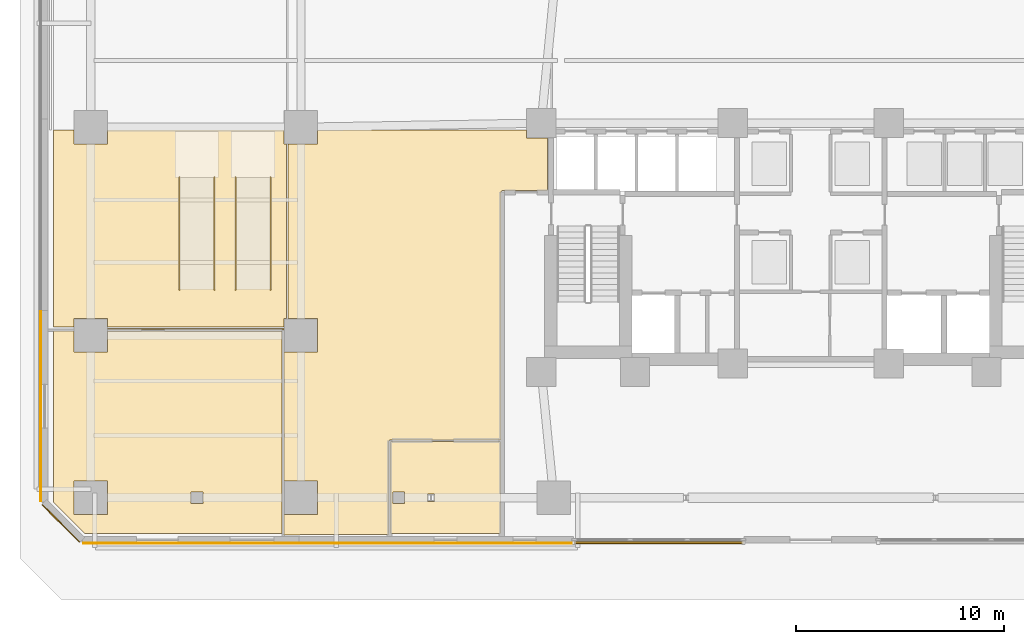
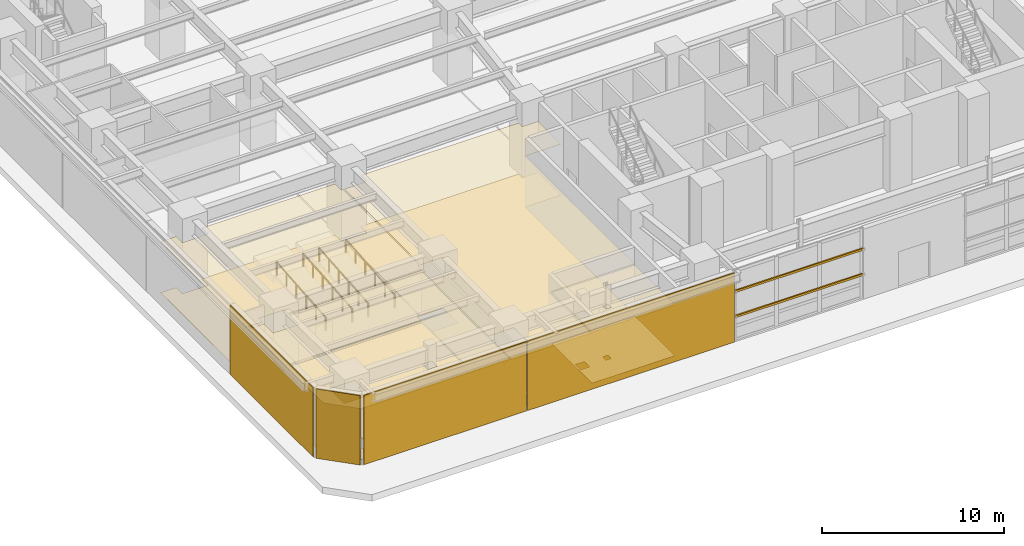
# One storey, part 19 of 26: 12 coverings, 4 railings, 2 shading devices.
"""IFC4 building model written with IfcOpenShell, lengths in metres."""

from ifc_helpers import new_model, si_unit, direction, frame, origin, origin_2d, place, context, subcontext, project, spatial, polyline, rectangle, circle, outline, extrude, material, layer, layer_set, material_profile, profile_set, type_object, element, save


model = new_model("IFC4")

# Units and contexts
model_context = context("Model", 3, precision=1e-05, world=origin(), true_north=direction((0.0, 1.0)))
body_context = subcontext(model_context, "Body", "Model", "MODEL_VIEW")
ifc_project = project(units=[si_unit("LENGTHUNIT", "METRE"), si_unit("AREAUNIT", "SQUARE_METRE"), si_unit("VOLUMEUNIT", "CUBIC_METRE"), si_unit("PLANEANGLEUNIT", "RADIAN"), si_unit("MASSUNIT", "GRAM", prefix="KILO")], contexts=[model_context])

# Site, building, storey
site_placement = place(None, origin())
site = spatial("IfcSite", under=ifc_project, at=site_placement, CompositionType="ELEMENT")
building_placement = place(site_placement, origin())
building = spatial("IfcBuilding", under=site, at=building_placement, Name="Quenlor Broadcast Tower", CompositionType="ELEMENT")
storey_placement = place(building_placement, origin())
storey = spatial("IfcBuildingStorey", under=building, at=storey_placement, Name="L00", CompositionType="ELEMENT", Elevation=0.0)

# Coverings
ifc_material_1 = material(Name="Acoustic Mineral Fibre Board", Category="other")
ifc_layer_1 = layer(ifc_material_1, 0.02490234375)
ifc_layer_set_1 = layer_set([ifc_layer_1], Name="Acoustic Perforated Mineral Tile Ceiling 25")
covering_type_1 = type_object("IfcCoveringType", Name="Acoustic Perforated Mineral Tile Ceiling 25", PredefinedType="CEILING", material=ifc_layer_set_1)
covering_1_placement = place(storey_placement, frame((0.0, 0.0, 3.425048828125)))
element("IfcCovering", 1, at=covering_1_placement, inside=storey, type_object=covering_type_1, Name="L00 Acoustic Ceiling L00-33", PredefinedType="CEILING", context=body_context, shape_type="SweptSolid", body=[
    extrude(outline(polyline([(-14.919921875, -24.52001953125), (-20.199951171875, -24.52001953125), (-20.199951171875, -20.10009765625), (-14.919921875, -20.10009765625), (-14.919921875, -24.52001953125)]), holes=[polyline([(-18.08642578125, -22.62841796875), (-18.41357421875, -22.62841796875), (-18.41357421875, -22.9716796875), (-18.08642578125, -22.9716796875), (-18.08642578125, -22.62841796875)]), polyline([(-19.51708984375, -23.0830078125), (-19.51708984375, -22.51708984375), (-20.0830078125, -22.51708984375), (-20.0830078125, -23.0830078125), (-19.51708984375, -23.0830078125)])]), origin(), (0.0, 0.0, 1.0), 0.02490234375),
])
covering_2_placement = place(storey_placement, frame((0.0, 0.0, 3.425048828125)))
element("IfcCovering", 2, at=covering_2_placement, inside=storey, type_object=covering_type_1, Name="L00 Acoustic Ceiling L00-38", PredefinedType="CEILING", context=body_context, shape_type="SweptSolid", body=[
    extrude(outline(polyline([(-33.7919921875, -15.80810546875), (-33.7919921875, -14.800048828125), (-25.39990234375, -14.800048828125), (-25.39990234375, -24.52001953125), (-34.885986328125, -24.52001953125), (-36.39990234375, -23.006103515625), (-36.39990234375, -14.800048828125), (-35.407958984375, -14.800048828125), (-35.407958984375, -15.80810546875), (-33.7919921875, -15.80810546875)]), holes=[polyline([(-33.7919921875, -23.60791015625), (-33.7919921875, -21.991943359375), (-35.407958984375, -21.991943359375), (-35.407958984375, -23.60791015625), (-33.7919921875, -23.60791015625)]), polyline([(-29.217041015625, -23.0830078125), (-29.217041015625, -22.51708984375), (-29.782958984375, -22.51708984375), (-29.782958984375, -23.0830078125), (-29.217041015625, -23.0830078125)])]), origin(), (0.0, 0.0, 1.0), 0.02490234375),
])
covering_3_placement = place(storey_placement, frame((0.0, 0.0, 3.425048828125)))
element("IfcCovering", 3, at=covering_3_placement, inside=storey, type_object=covering_type_1, Name="L00 Acoustic Ceiling L00-39-2", PredefinedType="CEILING", context=body_context, shape_type="SweptSolid", body=[
    extrude(outline(polyline([(-25.30810546875, -5.80810546875), (-25.199951171875, -5.80810546875), (-25.199951171875, -14.19189453125), (-25.30810546875, -14.19189453125), (-25.30810546875, -14.60009765625), (-33.7919921875, -14.60009765625), (-33.7919921875, -14.19189453125), (-35.407958984375, -14.19189453125), (-35.407958984375, -14.60009765625), (-36.39990234375, -14.60009765625), (-36.39990234375, -5.1201171875), (-35.407958984375, -5.1201171875), (-35.407958984375, -5.80810546875), (-33.7919921875, -5.80810546875), (-33.7919921875, -5.1201171875), (-25.30810546875, -5.1201171875), (-25.30810546875, -5.80810546875)])), origin(), (0.0, 0.0, 1.0), 0.02490234375),
])
covering_4_placement = place(storey_placement, frame((0.0, 0.0, 3.425048828125)))
element("IfcCovering", 4, at=covering_4_placement, inside=storey, type_object=covering_type_1, Name="L00 Acoustic Ceiling L00-42-3", PredefinedType="CEILING", context=body_context, shape_type="SweptSolid", body=[
    extrude(outline(polyline([(-13.657958984375, -5.508056640625), (-12.64990234375, -5.508056640625), (-12.64990234375, -8.0400390625), (-14.800048828125, -8.0400390625), (-14.815673828125, -8.04150390625), (-14.83056640625, -8.046142578125), (-14.844482421875, -8.053466796875), (-14.856689453125, -8.0634765625), (-14.866455078125, -8.07568359375), (-14.873779296875, -8.08935546875), (-14.87841796875, -8.1044921875), (-14.8798828125, -8.1201171875), (-14.8798828125, -20.03076171875), (-14.896728515625, -20.0234375), (-14.912109375, -20.0205078125), (-20.199951171875, -20.02001953125), (-20.215576171875, -20.021484375), (-20.230712890625, -20.026123046875), (-20.244384765625, -20.033447265625), (-20.256591796875, -20.04345703125), (-20.2666015625, -20.0556640625), (-20.27392578125, -20.0693359375), (-20.278564453125, -20.08447265625), (-20.280029296875, -20.10009765625), (-20.280029296875, -24.52001953125), (-20.278564453125, -24.53564453125), (-20.27392578125, -24.550537109375), (-20.2666015625, -24.564453125), (-20.256591796875, -24.57666015625), (-25.34716796875, -24.580078125), (-25.33349609375, -24.564453125), (-25.326171875, -24.550537109375), (-25.321533203125, -24.53564453125), (-25.320068359375, -24.52001953125), (-25.320068359375, -14.800048828125), (-25.321533203125, -14.784423828125), (-25.326171875, -14.769287109375), (-25.33349609375, -14.755615234375), (-25.343505859375, -14.743408203125), (-25.355712890625, -14.7333984375), (-25.369384765625, -14.72607421875), (-25.384521484375, -14.721435546875), (-25.39990234375, -14.719970703125), (-33.7919921875, -14.719970703125), (-33.7919921875, -14.679931640625), (-25.30810546875, -14.679931640625), (-25.30810546875, -15.80810546875), (-23.69189453125, -15.80810546875), (-23.69189453125, -14.19189453125), (-25.1201171875, -14.19189453125), (-25.1201171875, -5.80810546875), (-23.69189453125, -5.80810546875), (-23.69189453125, -5.1201171875), (-13.657958984375, -5.1201171875), (-13.657958984375, -5.508056640625)]), holes=[polyline([(-23.69189453125, -23.60791015625), (-23.69189453125, -21.991943359375), (-25.30810546875, -21.991943359375), (-25.30810546875, -23.60791015625), (-23.69189453125, -23.60791015625)])]), origin(), (0.0, 0.0, 1.0), 0.02490234375),
])

# Shading devices
ifc_material_2 = material(Name="Architectural Terracotta Ceramic", Category="masonry")
ifc_material_profile = material_profile(ifc_material_2, rectangle(XDim=0.090087890625, YDim=0.139892578125, at=origin_2d()))
ifc_profile_set = profile_set([ifc_material_profile], Name="Architectural Terracotta Ceramic BAG90x140")
shading_device_type = type_object("IfcShadingDeviceType", Name="Copper Terracotta Baguette Solar Screen 140", PredefinedType="USERDEFINED", material=ifc_profile_set)
for number, where, z_axis, x_axis, name in (
    (5, (-3.240966796875, -24.972900390625, 1.69189453125), (-1.0, 0.0, 0.0), (0.0, -1.0, 0.0), "L00 Terracotta Baguette Screen 1"),
    (6, (-3.240966796875, -24.972900390625, 3.384033203125), (-1.0, 0.0, 0.0), (0.0, -1.0, 0.0), "L00 Terracotta Baguette Screen 2"),
):
    element("IfcShadingDevice", number, at=place(storey_placement, frame(where, z_axis=z_axis, x_axis=x_axis)), inside=storey, type_object=shading_device_type, Name=name, ObjectType="BAGUETTE", PredefinedType="USERDEFINED", context=body_context, shape_type="SweptSolid", body=[
        extrude(rectangle(XDim=0.090087890625, YDim=0.139892578125, at=origin_2d()), origin(), (0.0, 0.0, 1.0), 8.117919921875),
    ])

# Coverings
ifc_material_3 = material(Name="Architectural Terracotta Ceramic", Category="masonry")
ifc_layer_2 = layer(ifc_material_3, 0.044921875)
ifc_layer_set_2 = layer_set([ifc_layer_2], Name="Fluted Terracotta Rainscreen Cladding Panel")
covering_type_2 = type_object("IfcCoveringType", Name="Fluted Terracotta Rainscreen Cladding Panel", PredefinedType="CLADDING", material=ifc_layer_set_2)
covering_5_placement = place(storey_placement, frame((0.0, 0.0, 0.02001953125)))
element("IfcCovering", 7, at=covering_5_placement, inside=storey, type_object=covering_type_2, Name="L00 Terracotta Rainscreen Cladding L00-EW-SW", PredefinedType="CLADDING", context=body_context, shape_type="SweptSolid", body=[
    extrude(outline(polyline([(-11.429931640625, -24.971923828125), (-24.570068359375, -24.971923828125), (-24.570068359375, -25.01708984375), (-11.429931640625, -25.01708984375), (-11.429931640625, -24.971923828125)])), origin(), (0.0, 0.0, 1.0), 4.659912109375),
])
covering_6_placement = place(storey_placement, frame((0.0, 0.0, 0.02001953125)))
element("IfcCovering", 8, at=covering_6_placement, inside=storey, type_object=covering_type_2, Name="L00 Terracotta Rainscreen Cladding L00-EW-SWW", PredefinedType="CLADDING", context=body_context, shape_type="SweptSolid", body=[
    extrude(outline(polyline([(-24.6298828125, -24.971923828125), (-34.969970703125, -24.971923828125), (-34.969970703125, -25.01708984375), (-24.6298828125, -25.01708984375), (-24.6298828125, -24.971923828125)])), origin(), (0.0, 0.0, 1.0), 4.659912109375),
])
covering_7_placement = place(storey_placement, frame((0.0, 0.0, 0.02001953125)))
element("IfcCovering", 9, at=covering_7_placement, inside=storey, type_object=covering_type_2, Name="L00 Terracotta Rainscreen Cladding L00-EW-W1", PredefinedType="CLADDING", context=body_context, shape_type="SweptSolid", body=[
    extrude(outline(polyline([(-36.971923828125, -22.969970703125), (-36.971923828125, -13.830078125), (-37.01708984375, -13.830078125), (-37.01708984375, -22.969970703125), (-36.971923828125, -22.969970703125)])), origin(), (0.0, 0.0, 1.0), 4.659912109375),
])
covering_8_placement = place(storey_placement, frame((0.0, 0.0, 0.02001953125)))
element("IfcCovering", 10, at=covering_8_placement, inside=storey, type_object=covering_type_2, Name="L00 Terracotta Rainscreen Cladding L00-EW-CSW", PredefinedType="CLADDING", context=body_context, shape_type="SweptSolid", body=[
    extrude(outline(polyline([(-35.128662109375, -24.90625), (-36.90625, -23.128662109375), (-36.93798828125, -23.160400390625), (-35.160400390625, -24.93798828125), (-35.128662109375, -24.90625)])), origin(), (0.0, 0.0, 1.0), 4.659912109375),
])
ifc_material_4 = material(Name="Terrazzo Stone Finish", Category="masonry")
ifc_layer_3 = layer(ifc_material_4, 0.02001953125)
ifc_layer_set_3 = layer_set([ifc_layer_3], Name="Polished Sandstone Terrazzo Flooring 20")
covering_type_3 = type_object("IfcCoveringType", Name="Polished Sandstone Terrazzo Flooring 20", PredefinedType="FLOORING", material=ifc_layer_set_3)
covering_9_placement = place(storey_placement, origin())
element("IfcCovering", 11, at=covering_9_placement, inside=storey, type_object=covering_type_3, Name="L00 Terrazzo Flooring L00-33", PredefinedType="FLOORING", context=body_context, shape_type="SweptSolid", body=[
    extrude(outline(polyline([(-14.919921875, -24.52001953125), (-20.199951171875, -24.52001953125), (-20.199951171875, -20.10009765625), (-14.919921875, -20.10009765625), (-14.919921875, -24.52001953125)]), holes=[polyline([(-18.08642578125, -22.62841796875), (-18.41357421875, -22.62841796875), (-18.41357421875, -22.9716796875), (-18.08642578125, -22.9716796875), (-18.08642578125, -22.62841796875)]), polyline([(-19.51708984375, -23.0830078125), (-19.51708984375, -22.51708984375), (-20.0830078125, -22.51708984375), (-20.0830078125, -23.0830078125), (-19.51708984375, -23.0830078125)])]), origin(), (0.0, 0.0, 1.0), 0.02001953125),
])
covering_10_placement = place(storey_placement, origin())
element("IfcCovering", 12, at=covering_10_placement, inside=storey, type_object=covering_type_3, Name="L00 Terrazzo Flooring L00-38", PredefinedType="FLOORING", context=body_context, shape_type="SweptSolid", body=[
    extrude(outline(polyline([(-33.7919921875, -15.80810546875), (-33.7919921875, -14.800048828125), (-25.39990234375, -14.800048828125), (-25.39990234375, -24.52001953125), (-34.885986328125, -24.52001953125), (-36.39990234375, -23.006103515625), (-36.39990234375, -14.800048828125), (-35.407958984375, -14.800048828125), (-35.407958984375, -15.80810546875), (-33.7919921875, -15.80810546875)]), holes=[polyline([(-33.7919921875, -23.60791015625), (-33.7919921875, -21.991943359375), (-35.407958984375, -21.991943359375), (-35.407958984375, -23.60791015625), (-33.7919921875, -23.60791015625)]), polyline([(-29.217041015625, -23.0830078125), (-29.217041015625, -22.51708984375), (-29.782958984375, -22.51708984375), (-29.782958984375, -23.0830078125), (-29.217041015625, -23.0830078125)])]), origin(), (0.0, 0.0, 1.0), 0.02001953125),
])
covering_11_placement = place(storey_placement, origin())
element("IfcCovering", 13, at=covering_11_placement, inside=storey, type_object=covering_type_3, Name="L00 Terrazzo Flooring L00-39-2", PredefinedType="FLOORING", context=body_context, shape_type="SweptSolid", body=[
    extrude(outline(polyline([(-25.30810546875, -5.80810546875), (-25.199951171875, -5.80810546875), (-25.199951171875, -14.19189453125), (-25.30810546875, -14.19189453125), (-25.30810546875, -14.60009765625), (-33.7919921875, -14.60009765625), (-33.7919921875, -14.19189453125), (-35.407958984375, -14.19189453125), (-35.407958984375, -14.60009765625), (-36.39990234375, -14.60009765625), (-36.39990234375, -5.1201171875), (-35.407958984375, -5.1201171875), (-35.407958984375, -5.80810546875), (-33.7919921875, -5.80810546875), (-33.7919921875, -5.1201171875), (-25.30810546875, -5.1201171875), (-25.30810546875, -5.80810546875)])), origin(), (0.0, 0.0, 1.0), 0.02001953125),
])
covering_12_placement = place(storey_placement, origin())
element("IfcCovering", 14, at=covering_12_placement, inside=storey, type_object=covering_type_3, Name="L00 Terrazzo Flooring L00-42-3", PredefinedType="FLOORING", context=body_context, shape_type="SweptSolid", body=[
    extrude(outline(polyline([(-13.657958984375, -5.508056640625), (-12.64990234375, -5.508056640625), (-12.64990234375, -8.0400390625), (-14.800048828125, -8.0400390625), (-14.815673828125, -8.04150390625), (-14.83056640625, -8.046142578125), (-14.844482421875, -8.053466796875), (-14.856689453125, -8.0634765625), (-14.866455078125, -8.07568359375), (-14.873779296875, -8.08935546875), (-14.87841796875, -8.1044921875), (-14.8798828125, -8.1201171875), (-14.8798828125, -20.03076171875), (-14.896728515625, -20.0234375), (-14.912109375, -20.0205078125), (-20.199951171875, -20.02001953125), (-20.215576171875, -20.021484375), (-20.230712890625, -20.026123046875), (-20.244384765625, -20.033447265625), (-20.256591796875, -20.04345703125), (-20.2666015625, -20.0556640625), (-20.27392578125, -20.0693359375), (-20.278564453125, -20.08447265625), (-20.280029296875, -20.10009765625), (-20.280029296875, -24.52001953125), (-20.278564453125, -24.53564453125), (-20.27392578125, -24.550537109375), (-20.2666015625, -24.564453125), (-20.256591796875, -24.57666015625), (-25.34716796875, -24.580078125), (-25.33349609375, -24.564453125), (-25.326171875, -24.550537109375), (-25.321533203125, -24.53564453125), (-25.320068359375, -24.52001953125), (-25.320068359375, -14.800048828125), (-25.321533203125, -14.784423828125), (-25.326171875, -14.769287109375), (-25.33349609375, -14.755615234375), (-25.343505859375, -14.743408203125), (-25.355712890625, -14.7333984375), (-25.369384765625, -14.72607421875), (-25.384521484375, -14.721435546875), (-25.39990234375, -14.719970703125), (-33.7919921875, -14.719970703125), (-33.7919921875, -14.679931640625), (-25.30810546875, -14.679931640625), (-25.30810546875, -15.80810546875), (-23.69189453125, -15.80810546875), (-23.69189453125, -14.19189453125), (-25.1201171875, -14.19189453125), (-25.1201171875, -5.80810546875), (-23.69189453125, -5.80810546875), (-23.69189453125, -5.1201171875), (-13.657958984375, -5.1201171875), (-13.657958984375, -5.508056640625)]), holes=[polyline([(-23.69189453125, -23.60791015625), (-23.69189453125, -21.991943359375), (-25.30810546875, -21.991943359375), (-25.30810546875, -23.60791015625), (-23.69189453125, -23.60791015625)])]), origin(), (0.0, 0.0, 1.0), 0.02001953125),
])

# Railings
ifc_material_5 = material(Name="Anodised Aluminium", Category="aluminium")
railing_type = type_object("IfcRailingType", Name="Stainless Aluminium Wall Handrail 900", PredefinedType="HANDRAIL", material=ifc_material_5)
for number, where, name in (
    (15, (-30.340087890625, -12.800048828125, 0.0), "L00 Accessible Ramp Handrail 1L"),
    (16, (-28.659912109375, -12.800048828125, 0.0), "L00 Accessible Ramp Handrail 1R"),
    (17, (-27.639892578125, -12.800048828125, 0.0), "L00 Accessible Ramp Handrail 2L"),
    (18, (-25.9599609375, -12.800048828125, 0.0), "L00 Accessible Ramp Handrail 2R"),
):
    element("IfcRailing", number, at=place(storey_placement, frame(where)), inside=storey, type_object=railing_type, Name=name, PredefinedType="HANDRAIL", context=body_context, shape_type="SweptSolid", body=[
        extrude(circle(Radius=0.02392578125, at=origin_2d()), frame((0.0, 0.0, 0.8759765625), z_axis=(0.0, 0.996546690331, 0.083034294059), x_axis=(-1.0, 0.0, 0.0)), (0.0, 0.0, 1.0), 5.4189453125),
        extrude(circle(Radius=0.02099609375, at=origin_2d()), origin(), (0.0, 0.0, 1.0), 0.851806640625),
        extrude(circle(Radius=0.02099609375, at=origin_2d()), frame((0.0, 1.080078125, 0.090087890625)), (0.0, 0.0, 1.0), 0.851806640625),
        extrude(circle(Radius=0.02099609375, at=origin_2d()), frame((0.0, 2.16015625, 0.179931640625)), (0.0, 0.0, 1.0), 0.851806640625),
        extrude(circle(Radius=0.02099609375, at=origin_2d()), frame((0.0, 3.239990234375, 0.27001953125)), (0.0, 0.0, 1.0), 0.851806640625),
        extrude(circle(Radius=0.02099609375, at=origin_2d()), frame((0.0, 4.320068359375, 0.35986328125)), (0.0, 0.0, 1.0), 0.851806640625),
        extrude(circle(Radius=0.02099609375, at=origin_2d()), frame((0.0, 5.400146484375, 0.449951171875)), (0.0, 0.0, 1.0), 0.851806640625),
    ])

save(model, "model.ifc")
